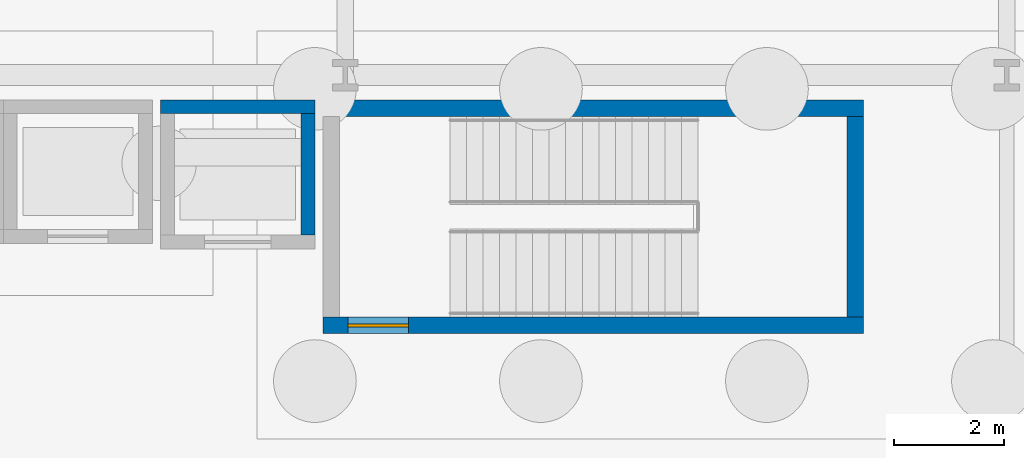
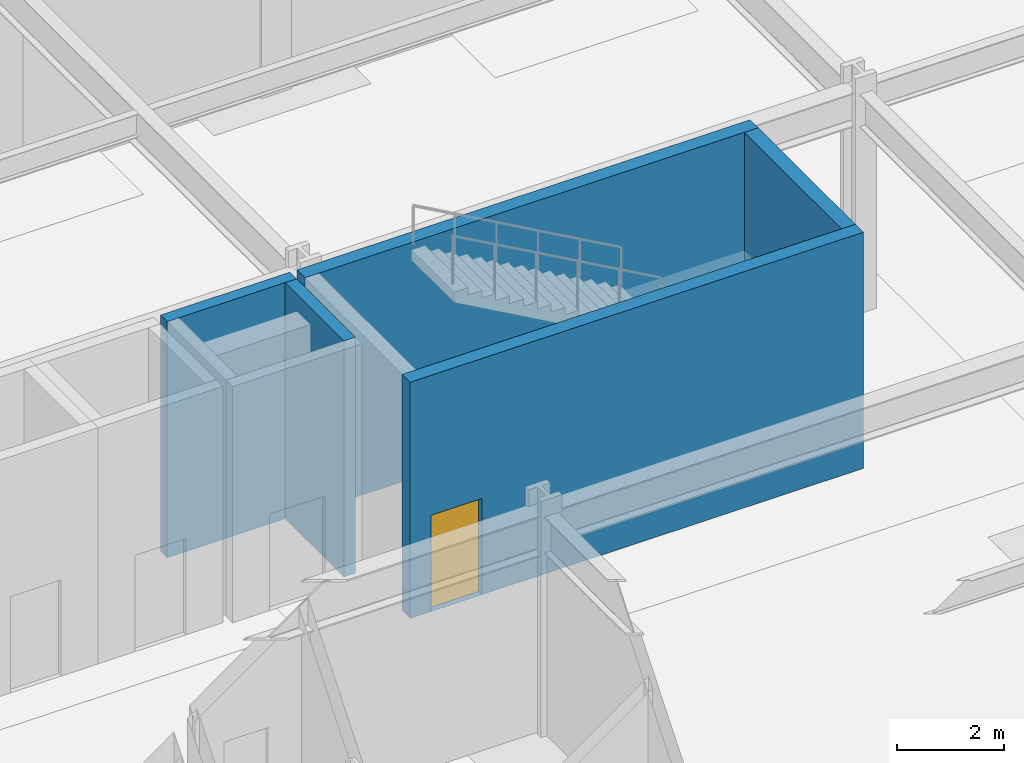
# One storey, part 31 of 47: 5 walls, 1 door, 1 opening.
"""IFC4 building model written with IfcOpenShell, lengths in metres."""

import ifcopenshell
import ifcopenshell.guid

model = None  # the IFC model being written
_history = None  # IfcOwnerHistory: only IFC2X3 demands one
_inside = {}  # id of a spatial element -> (the spatial element, [elements in it])
_under = {}  # id of a project, library or spatial element -> (it, [spatial elements below it])
_declared = {}  # id of a project -> (the project, [libraries it declares])
_typed = {}  # id of a type object -> (the type object, [elements of that type])
_made_of = {}  # id of a material, layer set ... -> (it, [elements and type objects made of it])


def new_model(schema):
    """Start an empty IFC model of exactly this schema.

    Asked for "IFC4X3", IfcOpenShell would pick the latest addendum, in which some entities
    have other attributes; the version numbers below select the first issue.
    IFC2X3 requires an IfcOwnerHistory on every rooted entity: one is made here for all.
    """
    global model, _history
    if schema == "IFC4X3":
        model = ifcopenshell.file(schema_version=(4, 3, 0, 0))
    else:
        model = ifcopenshell.file(schema=schema)
    _inside.clear()
    _under.clear()
    _declared.clear()
    _typed.clear()
    _made_of.clear()
    _history = None
    if model.schema == "IFC2X3":
        org = make("IfcOrganization", Name="unknown")
        user = make(
            "IfcPersonAndOrganization",
            ThePerson=make("IfcPerson", FamilyName="unknown"),
            TheOrganization=org,
        )
        app = make(
            "IfcApplication",
            ApplicationDeveloper=org,
            Version="unknown",
            ApplicationFullName="unknown",
            ApplicationIdentifier="unknown",
        )
        _history = make(
            "IfcOwnerHistory",
            OwningUser=user,
            OwningApplication=app,
            ChangeAction="ADDED",
            CreationDate=0,
        )
    return model


def make(cls, **values):
    """One entity of the class cls with the attributes given. An attribute that is None is left unset."""
    return model.create_entity(
        cls, **{name: value for name, value in values.items() if value is not None}
    )


def rooted(cls, **values):
    """An entity with a GlobalId (a new one), such as an element, a storey or a relation."""
    return make(cls, GlobalId=ifcopenshell.guid.new(), OwnerHistory=_history, **values)


def si_unit(unit_type, name, prefix=None):
    """IfcSIUnit, for example si_unit("LENGTHUNIT", "METRE", prefix="MILLI")."""
    return make("IfcSIUnit", UnitType=unit_type, Prefix=prefix, Name=name)


def assignment(units):
    """IfcUnitAssignment: the units of a project."""
    return None if units is None else make("IfcUnitAssignment", Units=units)


def point(xyz):
    """IfcCartesianPoint."""
    return None if xyz is None else make("IfcCartesianPoint", Coordinates=xyz)


def direction(xyz):
    """IfcDirection."""
    return None if xyz is None else make("IfcDirection", DirectionRatios=xyz)


def frame(location, z_axis=None, x_axis=None):
    """IfcAxis2Placement3D, a coordinate frame: its origin and axes. An axis left out is left unset."""
    return make(
        "IfcAxis2Placement3D",
        Location=point(location),
        Axis=direction(z_axis),
        RefDirection=direction(x_axis),
    )


def frame_2d(location, x_axis=None):
    """IfcAxis2Placement2D, a coordinate frame in the plane: its origin and x axis."""
    return make(
        "IfcAxis2Placement2D", Location=point(location), RefDirection=direction(x_axis)
    )


def origin():
    """The frame at (0, 0, 0) with its axes left unset."""
    return frame((0.0, 0.0, 0.0))


def place(relative_to, where):
    """IfcLocalPlacement: puts the frame where relative to a parent placement (None: the world)."""
    return make(
        "IfcLocalPlacement", PlacementRelTo=relative_to, RelativePlacement=where
    )


def context(
    kind, dimensions, precision=None, world=None, true_north=None, identifier=None
):
    """IfcGeometricRepresentationContext, for example the 3D "Model" context."""
    return make(
        "IfcGeometricRepresentationContext",
        ContextIdentifier=identifier,
        ContextType=kind,
        CoordinateSpaceDimension=dimensions,
        Precision=precision,
        WorldCoordinateSystem=world,
        TrueNorth=true_north,
    )


def subcontext(parent, identifier, kind, view, scale=None):
    """IfcGeometricRepresentationSubContext, for example "Body" below "Model"."""
    return make(
        "IfcGeometricRepresentationSubContext",
        ContextIdentifier=identifier,
        ContextType=kind,
        ParentContext=parent,
        TargetScale=scale,
        TargetView=view,
    )


def project(units=None, contexts=None):
    """IfcProject with its units and contexts."""
    return rooted(
        "IfcProject",
        Name="project",
        RepresentationContexts=contexts,
        UnitsInContext=assignment(units),
    )


def spatial(cls, under=None, at=None, **own):
    """A site, building, storey or space (cls), placed at a placement, below another one or the project."""
    s = rooted(cls, ObjectPlacement=at, **own)
    if under is not None:
        _under.setdefault(under.id(), (under, []))[1].append(s)
    return s


def profile(cls, at=None, kind="AREA", **sizes):
    """A parametric profile (cls). Its sizes go by their IFC names, for example OverallWidth=200.0."""
    return make(cls, ProfileType=kind, Position=at, **sizes)


def rectangle(**sizes):
    """IfcRectangleProfileDef."""
    return profile("IfcRectangleProfileDef", **sizes)


def extrude(swept, where, along, depth):
    """IfcExtrudedAreaSolid: the profile swept, set in the frame where, extruded along a direction by depth."""
    return make(
        "IfcExtrudedAreaSolid",
        SweptArea=swept,
        Position=where,
        ExtrudedDirection=direction(along),
        Depth=depth,
    )


def shape(context_of_items, identifier, shape_type, items):
    """IfcShapeRepresentation: the items that make up one representation, for example the "Body"."""
    return make(
        "IfcShapeRepresentation",
        ContextOfItems=context_of_items,
        RepresentationIdentifier=identifier,
        RepresentationType=shape_type,
        Items=items,
    )


def material(Name=None, Category=None):
    """IfcMaterial."""
    return make("IfcMaterial", Name=Name, Category=Category)


def layer(
    of_material, thickness, ventilated=None, Name=None, Category=None, Priority=None
):
    """IfcMaterialLayer: one layer of a wall or slab, of a material (None: an air gap)."""
    return make(
        "IfcMaterialLayer",
        Material=of_material,
        LayerThickness=thickness,
        IsVentilated=ventilated,
        Name=Name,
        Category=Category,
        Priority=Priority,
    )


def layer_set(layers, Name=None):
    """IfcMaterialLayerSet."""
    return make("IfcMaterialLayerSet", MaterialLayers=layers, LayerSetName=Name)


def made_of(thing, what):
    """Note that an element or type object is made of a material, layer set ...; save() writes the relation."""
    if what is not None:
        _made_of.setdefault(what.id(), (what, []))[1].append(thing)
    return thing


def type_object(cls, material=None, **own):
    """A type object (cls), such as IfcWallType, which elements share."""
    return made_of(rooted(cls, **own), material)


def element(
    cls,
    number,
    at=None,
    inside=None,
    cuts=None,
    type_object=None,
    material=None,
    context=None,
    identifier="Body",
    shape_type=None,
    held_by="IfcProductDefinitionShape",
    body=None,
    shapes=None,
    **own,
):
    """One element of the class cls, such as IfcWall. Its Tag is "e" and its number.

    at: its placement. inside: the storey or other place that contains it. cuts: it is an
    opening in that element (IfcRelVoidsElement). A single representation is given by context,
    identifier, shape_type and body (its items); several are given by shapes. held_by: the class
    of the entity that holds the representations. save() writes the other relations.
    """
    e = rooted(cls, Tag="e%d" % number, ObjectPlacement=at, **own)
    if body is not None:
        shapes = [shape(context, identifier, shape_type, body)]
    if shapes is not None:
        e.Representation = make(held_by, Representations=shapes)
    if inside is not None:
        _inside.setdefault(inside.id(), (inside, []))[1].append(e)
    if cuts is not None:
        rooted(
            "IfcRelVoidsElement", RelatingBuildingElement=cuts, RelatedOpeningElement=e
        )
    if type_object is not None:
        _typed.setdefault(type_object.id(), (type_object, []))[1].append(e)
    return made_of(e, material)


def fill(opening, filler):
    """IfcRelFillsElement: the door or window that sits in an opening."""
    return rooted(
        "IfcRelFillsElement",
        RelatingOpeningElement=opening,
        RelatedBuildingElement=filler,
    )


def aggregate(whole, parts):
    """IfcRelAggregates: a whole, such as a stair, and the parts it consists of."""
    return rooted("IfcRelAggregates", RelatingObject=whole, RelatedObjects=parts)


def save(model, path):
    """Write the relations noted so far, then the file.

    IfcRelAggregates (storeys below a building ...), IfcRelContainedInSpatialStructure (elements
    in a storey), IfcRelDefinesByType, IfcRelAssociatesMaterial and IfcRelDeclares: one each for
    every whole, place, type object, material and project.
    """
    for whole, parts in _under.values():
        aggregate(whole, parts)
    for where, things in _inside.values():
        rooted(
            "IfcRelContainedInSpatialStructure",
            RelatedElements=things,
            RelatingStructure=where,
        )
    for kind, things in _typed.values():
        rooted("IfcRelDefinesByType", RelatedObjects=things, RelatingType=kind)
    for what, things in _made_of.values():
        rooted("IfcRelAssociatesMaterial", RelatedObjects=things, RelatingMaterial=what)
    for by, libraries in _declared.values():
        rooted("IfcRelDeclares", RelatingContext=by, RelatedDefinitions=libraries)
    model.write(path)


model = new_model("IFC4")

# Units and contexts
model_context = context("Model", 3, precision=1e-05, world=origin(), true_north=direction((0.0, 1.0)))
body_context = subcontext(model_context, "Body", "Model", "MODEL_VIEW")
ifc_project = project(units=[si_unit("LENGTHUNIT", "METRE"), si_unit("AREAUNIT", "SQUARE_METRE"), si_unit("VOLUMEUNIT", "CUBIC_METRE"), si_unit("PLANEANGLEUNIT", "RADIAN"), si_unit("MASSUNIT", "GRAM", prefix="KILO")], contexts=[model_context])

# Site, building, storey
site_placement = place(None, origin())
site = spatial("IfcSite", under=ifc_project, at=site_placement, CompositionType="ELEMENT")
building_placement = place(site_placement, origin())
building = spatial("IfcBuilding", under=site, at=building_placement, Name="Kaldorvane Square Convention Centre", CompositionType="ELEMENT")
storey_placement = place(building_placement, frame((0.0, 0.0, -5.399993896484375)))
storey = spatial("IfcBuildingStorey", under=building, at=storey_placement, Name="B01", CompositionType="ELEMENT", Elevation=-5.399993896484375)

# Wall, opening, door
ifc_material_1 = material(Name="Concrete f'c = 55 MPa (Normalweight)", Category="concrete")
ifc_layer = layer(ifc_material_1, 0.3000030517578125)
ifc_layer_set = layer_set([ifc_layer], Name="Concrete f'c = 55 MPa (Normalweight)")
wall_type = type_object("IfcWallType", Name="WL-SHAFT-300", PredefinedType="SHEAR", material=ifc_layer_set)
wall_1_placement = place(storey_placement, frame((65.60000610351562, 100.46000671386719, 0.0), z_axis=(0.0, 0.0, 1.0), x_axis=(1.0, 0.0, 0.0)))
wall_1 = element("IfcWall", 1, at=wall_1_placement, inside=storey, type_object=wall_type, Name="Core Enclosure Wall stair:ST-T2-S (B01)", PredefinedType="SHEAR", context=body_context, shape_type="SweptSolid", body=[
    extrude(rectangle(XDim=9.79998779296875, YDim=0.3000030517578125, at=frame_2d((4.899993896484375, 0.0))), origin(), (0.0, 0.0, 1.0), 5.399993896484375),
])
opening_placement = place(wall_1_placement, frame((0.4499969482421875, 0.0, 0.0)))
opening = element("IfcOpeningElement", 2, at=opening_placement, cuts=wall_1, Name="Opening FD90-S1", PredefinedType="OPENING", context=body_context, shape_type="SweptSolid", body=[
    extrude(rectangle(XDim=1.100006103515625, YDim=2.1999969482421875, at=frame_2d((0.5500030517578125, 1.100006103515625))), frame((0.0, 0.165008544921875, 0.0), z_axis=(0.0, -1.0, 0.0), x_axis=(1.0, 0.0, 0.0)), (0.0, 0.0, 1.0), 0.3300018310546875),
])
ifc_material_2 = material(Name="Fire-Rated Hollow Metal Steel", Category="steel")
door_type = type_object("IfcDoorType", Name="DR-STAIR-1100", OperationType="SINGLE_SWING_RIGHT", PredefinedType="DOOR", material=ifc_material_2)
door_placement = place(opening_placement, origin())
door = element("IfcDoor", 3, at=door_placement, inside=storey, type_object=door_type, Name="Tower Exit Stair T2 Fire Door (B01)", OperationType="SINGLE_SWING_RIGHT", OverallHeight=2.1999969482421875, OverallWidth=1.100006103515625, PredefinedType="DOOR", context=body_context, shape_type="SweptSolid", body=[
    extrude(rectangle(XDim=1.100006103515625, YDim=2.1999969482421875, at=frame_2d((0.5500030517578125, 1.100006103515625))), frame((0.0, 0.024993896484375, 0.0), z_axis=(0.0, -1.0, 0.0), x_axis=(1.0, 0.0, 0.0)), (0.0, 0.0, 1.0), 0.0500030517578125),
])
fill(opening, door)

# Walls
wall_2_placement = place(storey_placement, frame((75.39999389648438, 104.39999389648438, 0.0), z_axis=(0.0, 0.0, 1.0), x_axis=(-1.0, 0.0, 0.0)))
element("IfcWall", 4, at=wall_2_placement, inside=storey, type_object=wall_type, Name="Core Enclosure Wall stair:ST-T2-N (B01)", PredefinedType="SHEAR", context=body_context, shape_type="SweptSolid", body=[
    extrude(rectangle(XDim=9.79998779296875, YDim=0.3000030517578125, at=frame_2d((4.899993896484375, 0.0))), origin(), (0.0, 0.0, 1.0), 5.399993896484375),
])
wall_3_placement = place(storey_placement, frame((75.25, 100.61000061035156, 0.0), z_axis=(0.0, 0.0, 1.0), x_axis=(0.0, 1.0, 0.0)))
element("IfcWall", 5, at=wall_3_placement, inside=storey, type_object=wall_type, Name="Core Enclosure Wall stair:ST-T2-E (B01)", PredefinedType="SHEAR", context=body_context, shape_type="SweptSolid", body=[
    extrude(rectangle(XDim=3.6399993896484375, YDim=0.3000030517578125, at=frame_2d((1.82000732421875, 0.0))), origin(), (0.0, 0.0, 1.0), 5.399993896484375),
])
wall_4_placement = place(storey_placement, frame((65.44999694824219, 104.42500305175781, 0.0), z_axis=(0.0, 0.0, 1.0), x_axis=(-1.0, 0.0, 0.0)))
element("IfcWall", 6, at=wall_4_placement, inside=storey, type_object=wall_type, Name="Core Enclosure Wall lift:FSAE-02-N (B01)", PredefinedType="SHEAR", context=body_context, shape_type="SweptSolid", body=[
    extrude(rectangle(XDim=2.8000030517578125, YDim=0.25, at=frame_2d((1.399993896484375, 0.0))), origin(), (0.0, 0.0, 1.0), 5.399993896484375),
])
wall_5_placement = place(storey_placement, frame((65.32499694824219, 102.10000610351562, 0.0), z_axis=(0.0, 0.0, 1.0), x_axis=(0.0, 1.0, 0.0)))
element("IfcWall", 7, at=wall_5_placement, inside=storey, type_object=wall_type, Name="Core Enclosure Wall lift:FSAE-02-E (B01)", PredefinedType="SHEAR", context=body_context, shape_type="SweptSolid", body=[
    extrude(rectangle(XDim=2.1999969482421875, YDim=0.25, at=frame_2d((1.100006103515625, 0.0))), origin(), (0.0, 0.0, 1.0), 5.399993896484375),
])

save(model, "model.ifc")
